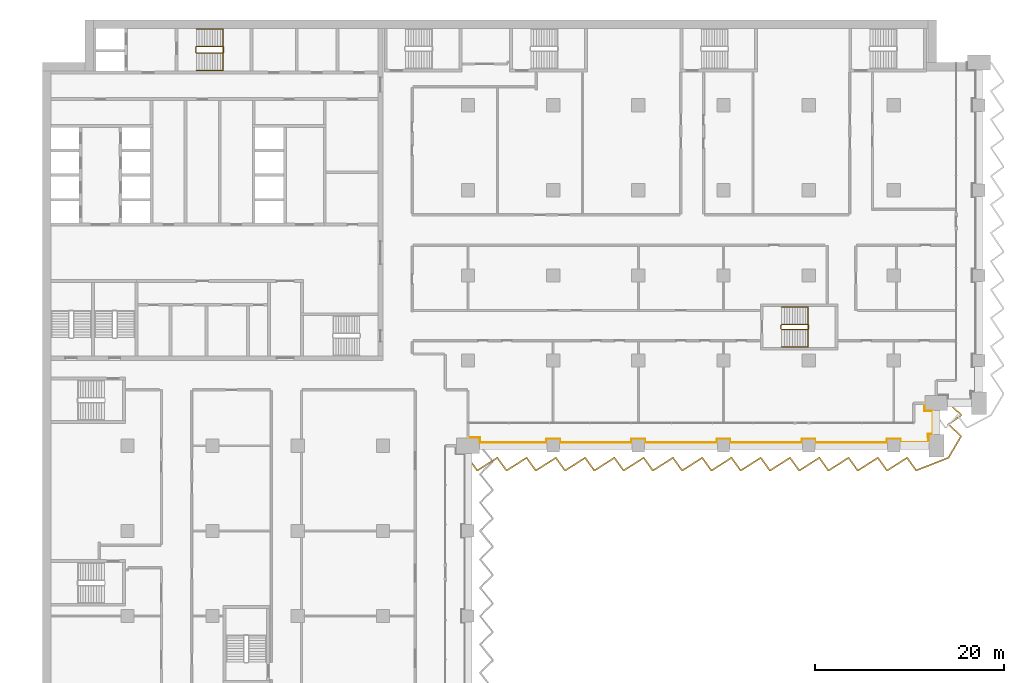
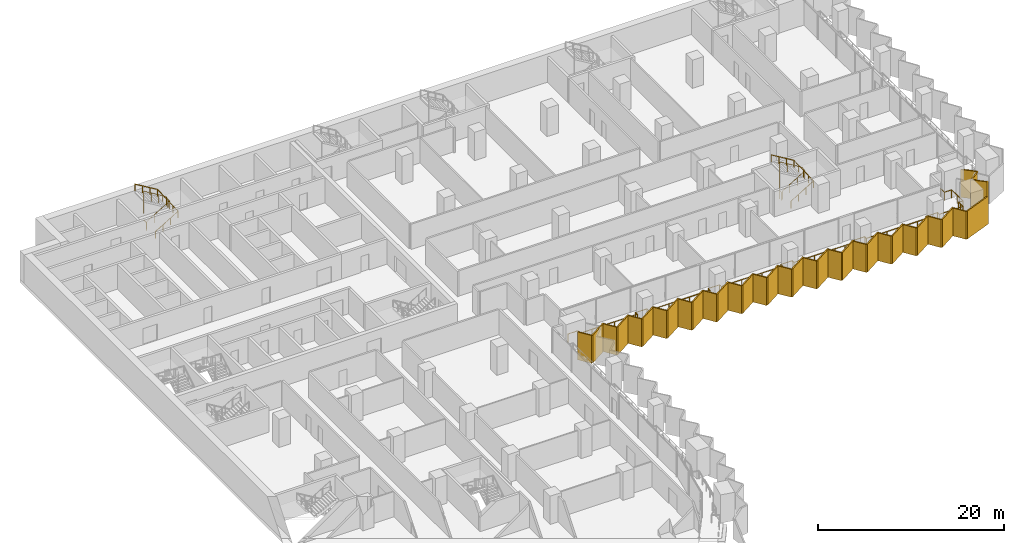
# One storey, part 26 of 28: 5 railings, 1 shading device.
"""IFC4 building model written with IfcOpenShell, lengths in metres."""

import ifcopenshell
import ifcopenshell.guid

model = None  # the IFC model being written
_history = None  # IfcOwnerHistory: only IFC2X3 demands one
_inside = {}  # id of a spatial element -> (the spatial element, [elements in it])
_under = {}  # id of a project, library or spatial element -> (it, [spatial elements below it])
_declared = {}  # id of a project -> (the project, [libraries it declares])
_typed = {}  # id of a type object -> (the type object, [elements of that type])
_made_of = {}  # id of a material, layer set ... -> (it, [elements and type objects made of it])


def new_model(schema):
    """Start an empty IFC model of exactly this schema.

    Asked for "IFC4X3", IfcOpenShell would pick the latest addendum, in which some entities
    have other attributes; the version numbers below select the first issue.
    IFC2X3 requires an IfcOwnerHistory on every rooted entity: one is made here for all.
    """
    global model, _history
    if schema == "IFC4X3":
        model = ifcopenshell.file(schema_version=(4, 3, 0, 0))
    else:
        model = ifcopenshell.file(schema=schema)
    _inside.clear()
    _under.clear()
    _declared.clear()
    _typed.clear()
    _made_of.clear()
    _history = None
    if model.schema == "IFC2X3":
        org = make("IfcOrganization", Name="unknown")
        user = make(
            "IfcPersonAndOrganization",
            ThePerson=make("IfcPerson", FamilyName="unknown"),
            TheOrganization=org,
        )
        app = make(
            "IfcApplication",
            ApplicationDeveloper=org,
            Version="unknown",
            ApplicationFullName="unknown",
            ApplicationIdentifier="unknown",
        )
        _history = make(
            "IfcOwnerHistory",
            OwningUser=user,
            OwningApplication=app,
            ChangeAction="ADDED",
            CreationDate=0,
        )
    return model


def make(cls, **values):
    """One entity of the class cls with the attributes given. An attribute that is None is left unset."""
    return model.create_entity(
        cls, **{name: value for name, value in values.items() if value is not None}
    )


def rooted(cls, **values):
    """An entity with a GlobalId (a new one), such as an element, a storey or a relation."""
    return make(cls, GlobalId=ifcopenshell.guid.new(), OwnerHistory=_history, **values)


def si_unit(unit_type, name, prefix=None):
    """IfcSIUnit, for example si_unit("LENGTHUNIT", "METRE", prefix="MILLI")."""
    return make("IfcSIUnit", UnitType=unit_type, Prefix=prefix, Name=name)


def assignment(units):
    """IfcUnitAssignment: the units of a project."""
    return None if units is None else make("IfcUnitAssignment", Units=units)


def point(xyz):
    """IfcCartesianPoint."""
    return None if xyz is None else make("IfcCartesianPoint", Coordinates=xyz)


def direction(xyz):
    """IfcDirection."""
    return None if xyz is None else make("IfcDirection", DirectionRatios=xyz)


def frame(location, z_axis=None, x_axis=None):
    """IfcAxis2Placement3D, a coordinate frame: its origin and axes. An axis left out is left unset."""
    return make(
        "IfcAxis2Placement3D",
        Location=point(location),
        Axis=direction(z_axis),
        RefDirection=direction(x_axis),
    )


def frame_2d(location, x_axis=None):
    """IfcAxis2Placement2D, a coordinate frame in the plane: its origin and x axis."""
    return make(
        "IfcAxis2Placement2D", Location=point(location), RefDirection=direction(x_axis)
    )


def origin():
    """The frame at (0, 0, 0) with its axes left unset."""
    return frame((0.0, 0.0, 0.0))


def origin_2d():
    """The frame at (0, 0) in the plane with its x axis left unset."""
    return frame_2d((0.0, 0.0))


def place(relative_to, where):
    """IfcLocalPlacement: puts the frame where relative to a parent placement (None: the world)."""
    return make(
        "IfcLocalPlacement", PlacementRelTo=relative_to, RelativePlacement=where
    )


def context(
    kind, dimensions, precision=None, world=None, true_north=None, identifier=None
):
    """IfcGeometricRepresentationContext, for example the 3D "Model" context."""
    return make(
        "IfcGeometricRepresentationContext",
        ContextIdentifier=identifier,
        ContextType=kind,
        CoordinateSpaceDimension=dimensions,
        Precision=precision,
        WorldCoordinateSystem=world,
        TrueNorth=true_north,
    )


def subcontext(parent, identifier, kind, view, scale=None):
    """IfcGeometricRepresentationSubContext, for example "Body" below "Model"."""
    return make(
        "IfcGeometricRepresentationSubContext",
        ContextIdentifier=identifier,
        ContextType=kind,
        ParentContext=parent,
        TargetScale=scale,
        TargetView=view,
    )


def project(units=None, contexts=None):
    """IfcProject with its units and contexts."""
    return rooted(
        "IfcProject",
        Name="project",
        RepresentationContexts=contexts,
        UnitsInContext=assignment(units),
    )


def spatial(cls, under=None, at=None, **own):
    """A site, building, storey or space (cls), placed at a placement, below another one or the project."""
    s = rooted(cls, ObjectPlacement=at, **own)
    if under is not None:
        _under.setdefault(under.id(), (under, []))[1].append(s)
    return s


def polyline(points):
    """IfcPolyline through the points."""
    return make("IfcPolyline", Points=[point(p) for p in points])


def profile(cls, at=None, kind="AREA", **sizes):
    """A parametric profile (cls). Its sizes go by their IFC names, for example OverallWidth=200.0."""
    return make(cls, ProfileType=kind, Position=at, **sizes)


def circle(**sizes):
    """IfcCircleProfileDef."""
    return profile("IfcCircleProfileDef", **sizes)


def outline(outer, holes=None, kind="AREA"):
    """IfcArbitraryClosedProfileDef: a profile drawn as a closed curve; with holes, ...WithVoids."""
    if holes is None:
        return make("IfcArbitraryClosedProfileDef", ProfileType=kind, OuterCurve=outer)
    return make(
        "IfcArbitraryProfileDefWithVoids",
        ProfileType=kind,
        OuterCurve=outer,
        InnerCurves=holes,
    )


def extrude(swept, where, along, depth):
    """IfcExtrudedAreaSolid: the profile swept, set in the frame where, extruded along a direction by depth."""
    return make(
        "IfcExtrudedAreaSolid",
        SweptArea=swept,
        Position=where,
        ExtrudedDirection=direction(along),
        Depth=depth,
    )


def shape(context_of_items, identifier, shape_type, items):
    """IfcShapeRepresentation: the items that make up one representation, for example the "Body"."""
    return make(
        "IfcShapeRepresentation",
        ContextOfItems=context_of_items,
        RepresentationIdentifier=identifier,
        RepresentationType=shape_type,
        Items=items,
    )


def material(Name=None, Category=None):
    """IfcMaterial."""
    return make("IfcMaterial", Name=Name, Category=Category)


def layer(
    of_material, thickness, ventilated=None, Name=None, Category=None, Priority=None
):
    """IfcMaterialLayer: one layer of a wall or slab, of a material (None: an air gap)."""
    return make(
        "IfcMaterialLayer",
        Material=of_material,
        LayerThickness=thickness,
        IsVentilated=ventilated,
        Name=Name,
        Category=Category,
        Priority=Priority,
    )


def layer_set(layers, Name=None):
    """IfcMaterialLayerSet."""
    return make("IfcMaterialLayerSet", MaterialLayers=layers, LayerSetName=Name)


def made_of(thing, what):
    """Note that an element or type object is made of a material, layer set ...; save() writes the relation."""
    if what is not None:
        _made_of.setdefault(what.id(), (what, []))[1].append(thing)
    return thing


def type_object(cls, material=None, **own):
    """A type object (cls), such as IfcWallType, which elements share."""
    return made_of(rooted(cls, **own), material)


def element(
    cls,
    number,
    at=None,
    inside=None,
    cuts=None,
    type_object=None,
    material=None,
    context=None,
    identifier="Body",
    shape_type=None,
    held_by="IfcProductDefinitionShape",
    body=None,
    shapes=None,
    **own,
):
    """One element of the class cls, such as IfcWall. Its Tag is "e" and its number.

    at: its placement. inside: the storey or other place that contains it. cuts: it is an
    opening in that element (IfcRelVoidsElement). A single representation is given by context,
    identifier, shape_type and body (its items); several are given by shapes. held_by: the class
    of the entity that holds the representations. save() writes the other relations.
    """
    e = rooted(cls, Tag="e%d" % number, ObjectPlacement=at, **own)
    if body is not None:
        shapes = [shape(context, identifier, shape_type, body)]
    if shapes is not None:
        e.Representation = make(held_by, Representations=shapes)
    if inside is not None:
        _inside.setdefault(inside.id(), (inside, []))[1].append(e)
    if cuts is not None:
        rooted(
            "IfcRelVoidsElement", RelatingBuildingElement=cuts, RelatedOpeningElement=e
        )
    if type_object is not None:
        _typed.setdefault(type_object.id(), (type_object, []))[1].append(e)
    return made_of(e, material)


def aggregate(whole, parts):
    """IfcRelAggregates: a whole, such as a stair, and the parts it consists of."""
    return rooted("IfcRelAggregates", RelatingObject=whole, RelatedObjects=parts)


def save(model, path):
    """Write the relations noted so far, then the file.

    IfcRelAggregates (storeys below a building ...), IfcRelContainedInSpatialStructure (elements
    in a storey), IfcRelDefinesByType, IfcRelAssociatesMaterial and IfcRelDeclares: one each for
    every whole, place, type object, material and project.
    """
    for whole, parts in _under.values():
        aggregate(whole, parts)
    for where, things in _inside.values():
        rooted(
            "IfcRelContainedInSpatialStructure",
            RelatedElements=things,
            RelatingStructure=where,
        )
    for kind, things in _typed.values():
        rooted("IfcRelDefinesByType", RelatedObjects=things, RelatingType=kind)
    for what, things in _made_of.values():
        rooted("IfcRelAssociatesMaterial", RelatedObjects=things, RelatingMaterial=what)
    for by, libraries in _declared.values():
        rooted("IfcRelDeclares", RelatingContext=by, RelatedDefinitions=libraries)
    model.write(path)


model = new_model("IFC4")

# Units and contexts
model_context = context("Model", 3, precision=1e-05, world=origin(), true_north=direction((0.0, 1.0)))
body_context = subcontext(model_context, "Body", "Model", "MODEL_VIEW")
ifc_project = project(units=[si_unit("LENGTHUNIT", "METRE"), si_unit("AREAUNIT", "SQUARE_METRE"), si_unit("VOLUMEUNIT", "CUBIC_METRE"), si_unit("PLANEANGLEUNIT", "RADIAN"), si_unit("MASSUNIT", "GRAM", prefix="KILO")], contexts=[model_context])

# Site, building, storey
site_placement = place(None, origin())
site = spatial("IfcSite", under=ifc_project, at=site_placement, CompositionType="ELEMENT")
building_placement = place(site_placement, origin())
building = spatial("IfcBuilding", under=site, at=building_placement, Name="Hunhe Ridgeline Campus", CompositionType="ELEMENT")
storey_placement = place(building_placement, frame((0.0, 0.0, 72.800048828125)))
storey = spatial("IfcBuildingStorey", under=building, at=storey_placement, Name="L17", CompositionType="ELEMENT", Elevation=72.800048828125)

# Railing
ifc_material_1 = material(Name="Steel Q355", Category="steel")
railing_type_1 = type_object("IfcRailingType", Name="Loggia guard 1100 Steel Q355", PredefinedType="GUARDRAIL", material=ifc_material_1)
railing_1_placement = place(storey_placement, frame((45.0, 54.8701171875, 0.0)))
element("IfcRailing", 1, at=railing_1_placement, inside=storey, type_object=railing_type_1, Name="Loggia guard 2", PredefinedType="GUARDRAIL", context=body_context, shape_type="SweptSolid", body=[
    extrude(circle(Radius=0.02392578125, at=origin_2d()), frame((0.0, 0.0, 1.076171875), z_axis=(1.0, 0.0, 0.0), x_axis=(0.0, 1.0, 0.0)), (0.0, 0.0, 1.0), 1.25),
    extrude(circle(Radius=0.02392578125, at=origin_2d()), frame((1.25, 0.0, 1.076171875), z_axis=(0.0, -1.0, 0.0), x_axis=(1.0, 0.0, 0.0)), (0.0, 0.0, 1.0), 0.52001953125),
    extrude(circle(Radius=0.02392578125, at=origin_2d()), frame((1.25, -0.52001953125, 1.076171875), z_axis=(1.0, 0.0, 0.0), x_axis=(0.0, 1.0, 0.0)), (0.0, 0.0, 1.0), 7.050048828125),
    extrude(circle(Radius=0.02392578125, at=origin_2d()), frame((8.300048828125, -0.52001953125, 1.076171875), z_axis=(0.0, 1.0, 0.0), x_axis=(-1.0, 0.0, 0.0)), (0.0, 0.0, 1.0), 0.369873046875),
    extrude(circle(Radius=0.02392578125, at=origin_2d()), frame((8.300048828125, -0.150146484375, 1.076171875), z_axis=(1.0, 0.0, 0.0), x_axis=(0.0, 1.0, 0.0)), (0.0, 0.0, 1.0), 1.39990234375),
    extrude(circle(Radius=0.02392578125, at=origin_2d()), frame((9.699951171875, -0.150146484375, 1.076171875), z_axis=(0.0, -1.0, 0.0), x_axis=(1.0, 0.0, 0.0)), (0.0, 0.0, 1.0), 0.369873046875),
    extrude(circle(Radius=0.02392578125, at=origin_2d()), frame((9.699951171875, -0.52001953125, 1.076171875), z_axis=(1.0, 0.0, 0.0), x_axis=(0.0, 1.0, 0.0)), (0.0, 0.0, 1.0), 7.60009765625),
    extrude(circle(Radius=0.02392578125, at=origin_2d()), frame((17.300048828125, -0.52001953125, 1.076171875), z_axis=(0.0, 1.0, 0.0), x_axis=(-1.0, 0.0, 0.0)), (0.0, 0.0, 1.0), 0.369873046875),
    extrude(circle(Radius=0.02392578125, at=origin_2d()), frame((17.300048828125, -0.150146484375, 1.076171875), z_axis=(1.0, 0.0, 0.0), x_axis=(0.0, 1.0, 0.0)), (0.0, 0.0, 1.0), 1.39990234375),
    extrude(circle(Radius=0.02392578125, at=origin_2d()), frame((18.699951171875, -0.150146484375, 1.076171875), z_axis=(0.0, -1.0, 0.0), x_axis=(1.0, 0.0, 0.0)), (0.0, 0.0, 1.0), 0.369873046875),
    extrude(circle(Radius=0.02392578125, at=origin_2d()), frame((18.699951171875, -0.52001953125, 1.076171875), z_axis=(1.0, 0.0, 0.0), x_axis=(0.0, 1.0, 0.0)), (0.0, 0.0, 1.0), 7.60009765625),
    extrude(circle(Radius=0.02392578125, at=origin_2d()), frame((26.300048828125, -0.52001953125, 1.076171875), z_axis=(0.0, 1.0, 0.0), x_axis=(-1.0, 0.0, 0.0)), (0.0, 0.0, 1.0), 0.369873046875),
    extrude(circle(Radius=0.02392578125, at=origin_2d()), frame((26.300048828125, -0.150146484375, 1.076171875), z_axis=(1.0, 0.0, 0.0), x_axis=(0.0, 1.0, 0.0)), (0.0, 0.0, 1.0), 1.39990234375),
    extrude(circle(Radius=0.02392578125, at=origin_2d()), frame((27.699951171875, -0.150146484375, 1.076171875), z_axis=(0.0, -1.0, 0.0), x_axis=(1.0, 0.0, 0.0)), (0.0, 0.0, 1.0), 0.369873046875),
    extrude(circle(Radius=0.02392578125, at=origin_2d()), frame((27.699951171875, -0.52001953125, 1.076171875), z_axis=(1.0, 0.0, 0.0), x_axis=(0.0, 1.0, 0.0)), (0.0, 0.0, 1.0), 7.60009765625),
    extrude(circle(Radius=0.02392578125, at=origin_2d()), frame((35.300048828125, -0.52001953125, 1.076171875), z_axis=(0.0, 1.0, 0.0), x_axis=(-1.0, 0.0, 0.0)), (0.0, 0.0, 1.0), 0.369873046875),
    extrude(circle(Radius=0.02392578125, at=origin_2d()), frame((35.300048828125, -0.150146484375, 1.076171875), z_axis=(1.0, 0.0, 0.0), x_axis=(0.0, 1.0, 0.0)), (0.0, 0.0, 1.0), 1.39990234375),
    extrude(circle(Radius=0.02392578125, at=origin_2d()), frame((36.699951171875, -0.150146484375, 1.076171875), z_axis=(0.0, -1.0, 0.0), x_axis=(1.0, 0.0, 0.0)), (0.0, 0.0, 1.0), 0.369873046875),
    extrude(circle(Radius=0.02392578125, at=origin_2d()), frame((36.699951171875, -0.52001953125, 1.076171875), z_axis=(1.0, 0.0, 0.0), x_axis=(0.0, 1.0, 0.0)), (0.0, 0.0, 1.0), 7.60009765625),
    extrude(circle(Radius=0.02392578125, at=origin_2d()), frame((44.300048828125, -0.52001953125, 1.076171875), z_axis=(0.0, 1.0, 0.0), x_axis=(-1.0, 0.0, 0.0)), (0.0, 0.0, 1.0), 0.369873046875),
    extrude(circle(Radius=0.02392578125, at=origin_2d()), frame((44.300048828125, -0.150146484375, 1.076171875), z_axis=(1.0, 0.0, 0.0), x_axis=(0.0, 1.0, 0.0)), (0.0, 0.0, 1.0), 1.39990234375),
    extrude(circle(Radius=0.02392578125, at=origin_2d()), frame((45.699951171875, -0.150146484375, 1.076171875), z_axis=(0.0, -1.0, 0.0), x_axis=(1.0, 0.0, 0.0)), (0.0, 0.0, 1.0), 0.369873046875),
    extrude(circle(Radius=0.02392578125, at=origin_2d()), frame((45.699951171875, -0.52001953125, 1.076171875), z_axis=(1.0, 0.0, 0.0), x_axis=(0.0, 1.0, 0.0)), (0.0, 0.0, 1.0), 2.949951171875),
    extrude(circle(Radius=0.02392578125, at=origin_2d()), frame((48.64990234375, -0.52001953125, 1.076171875), z_axis=(0.0, 1.0, 0.0), x_axis=(-1.0, 0.0, 0.0)), (0.0, 0.0, 1.0), 0.919921875),
    extrude(circle(Radius=0.02392578125, at=origin_2d()), frame((48.64990234375, 0.39990234375, 1.076171875), z_axis=(-0.049998438503, -0.998749295943, 0.0), x_axis=(0.998749295943, -0.049998438503, 0.0)), (0.0, 0.0, 1.0), 0.400390625),
    extrude(circle(Radius=0.02392578125, at=origin_2d()), frame((48.6298828125, 0.0, 1.076171875), z_axis=(0.0, 1.0, 0.0), x_axis=(-1.0, 0.0, 0.0)), (0.0, 0.0, 1.0), 0.3798828125),
    extrude(circle(Radius=0.02392578125, at=origin_2d()), frame((48.6298828125, 0.3798828125, 1.076171875), z_axis=(1.0, 0.0, 0.0), x_axis=(0.0, 1.0, 0.0)), (0.0, 0.0, 1.0), 0.52001953125),
    extrude(circle(Radius=0.02392578125, at=origin_2d()), frame((49.14990234375, 0.3798828125, 1.076171875), z_axis=(0.0, 1.0, 0.0), x_axis=(-1.0, 0.0, 0.0)), (0.0, 0.0, 1.0), 2.39990234375),
    extrude(circle(Radius=0.02392578125, at=origin_2d()), frame((49.14990234375, 2.77978515625, 1.076171875), z_axis=(-1.0, 0.0, 0.0), x_axis=(0.0, -1.0, 0.0)), (0.0, 0.0, 1.0), 0.919921875),
    extrude(circle(Radius=0.02392578125, at=origin_2d()), frame((48.22998046875, 2.77978515625, 1.076171875), z_axis=(0.0, 1.0, 0.0), x_axis=(-1.0, 0.0, 0.0)), (0.0, 0.0, 1.0), 0.85009765625),
    extrude(circle(Radius=0.02099609375, at=origin_2d()), origin(), (0.0, 0.0, 1.0), 1.052001953125),
    extrude(circle(Radius=0.02099609375, at=origin_2d()), frame((1.25, 0.0, 0.0)), (0.0, 0.0, 1.0), 1.052001953125),
    extrude(circle(Radius=0.02099609375, at=origin_2d()), frame((1.25, -0.52001953125, 0.0)), (0.0, 0.0, 1.0), 1.052001953125),
    extrude(circle(Radius=0.02099609375, at=origin_2d()), frame((2.659912109375, -0.52001953125, 0.0)), (0.0, 0.0, 1.0), 1.052001953125),
    extrude(circle(Radius=0.02099609375, at=origin_2d()), frame((4.070068359375, -0.52001953125, 0.0)), (0.0, 0.0, 1.0), 1.052001953125),
    extrude(circle(Radius=0.02099609375, at=origin_2d()), frame((5.47998046875, -0.52001953125, 0.0)), (0.0, 0.0, 1.0), 1.052001953125),
    extrude(circle(Radius=0.02099609375, at=origin_2d()), frame((6.89013671875, -0.52001953125, 0.0)), (0.0, 0.0, 1.0), 1.052001953125),
    extrude(circle(Radius=0.02099609375, at=origin_2d()), frame((8.300048828125, -0.52001953125, 0.0)), (0.0, 0.0, 1.0), 1.052001953125),
    extrude(circle(Radius=0.02099609375, at=origin_2d()), frame((8.300048828125, -0.150146484375, 0.0)), (0.0, 0.0, 1.0), 1.052001953125),
    extrude(circle(Radius=0.02099609375, at=origin_2d()), frame((9.699951171875, -0.150146484375, 0.0)), (0.0, 0.0, 1.0), 1.052001953125),
    extrude(circle(Radius=0.02099609375, at=origin_2d()), frame((9.699951171875, -0.52001953125, 0.0)), (0.0, 0.0, 1.0), 1.052001953125),
    extrude(circle(Radius=0.02099609375, at=origin_2d()), frame((10.966552734375, -0.52001953125, 0.0)), (0.0, 0.0, 1.0), 1.052001953125),
    extrude(circle(Radius=0.02099609375, at=origin_2d()), frame((12.2333984375, -0.52001953125, 0.0)), (0.0, 0.0, 1.0), 1.052001953125),
    extrude(circle(Radius=0.02099609375, at=origin_2d()), frame((13.5, -0.52001953125, 0.0)), (0.0, 0.0, 1.0), 1.052001953125),
    extrude(circle(Radius=0.02099609375, at=origin_2d()), frame((14.7666015625, -0.52001953125, 0.0)), (0.0, 0.0, 1.0), 1.052001953125),
    extrude(circle(Radius=0.02099609375, at=origin_2d()), frame((16.033447265625, -0.52001953125, 0.0)), (0.0, 0.0, 1.0), 1.052001953125),
    extrude(circle(Radius=0.02099609375, at=origin_2d()), frame((17.300048828125, -0.52001953125, 0.0)), (0.0, 0.0, 1.0), 1.052001953125),
    extrude(circle(Radius=0.02099609375, at=origin_2d()), frame((17.300048828125, -0.150146484375, 0.0)), (0.0, 0.0, 1.0), 1.052001953125),
    extrude(circle(Radius=0.02099609375, at=origin_2d()), frame((18.699951171875, -0.150146484375, 0.0)), (0.0, 0.0, 1.0), 1.052001953125),
    extrude(circle(Radius=0.02099609375, at=origin_2d()), frame((18.699951171875, -0.52001953125, 0.0)), (0.0, 0.0, 1.0), 1.052001953125),
    extrude(circle(Radius=0.02099609375, at=origin_2d()), frame((19.966552734375, -0.52001953125, 0.0)), (0.0, 0.0, 1.0), 1.052001953125),
    extrude(circle(Radius=0.02099609375, at=origin_2d()), frame((21.2333984375, -0.52001953125, 0.0)), (0.0, 0.0, 1.0), 1.052001953125),
    extrude(circle(Radius=0.02099609375, at=origin_2d()), frame((22.5, -0.52001953125, 0.0)), (0.0, 0.0, 1.0), 1.052001953125),
    extrude(circle(Radius=0.02099609375, at=origin_2d()), frame((23.7666015625, -0.52001953125, 0.0)), (0.0, 0.0, 1.0), 1.052001953125),
    extrude(circle(Radius=0.02099609375, at=origin_2d()), frame((25.033447265625, -0.52001953125, 0.0)), (0.0, 0.0, 1.0), 1.052001953125),
    extrude(circle(Radius=0.02099609375, at=origin_2d()), frame((26.300048828125, -0.52001953125, 0.0)), (0.0, 0.0, 1.0), 1.052001953125),
    extrude(circle(Radius=0.02099609375, at=origin_2d()), frame((26.300048828125, -0.150146484375, 0.0)), (0.0, 0.0, 1.0), 1.052001953125),
    extrude(circle(Radius=0.02099609375, at=origin_2d()), frame((27.699951171875, -0.150146484375, 0.0)), (0.0, 0.0, 1.0), 1.052001953125),
    extrude(circle(Radius=0.02099609375, at=origin_2d()), frame((27.699951171875, -0.52001953125, 0.0)), (0.0, 0.0, 1.0), 1.052001953125),
    extrude(circle(Radius=0.02099609375, at=origin_2d()), frame((28.966552734375, -0.52001953125, 0.0)), (0.0, 0.0, 1.0), 1.052001953125),
    extrude(circle(Radius=0.02099609375, at=origin_2d()), frame((30.2333984375, -0.52001953125, 0.0)), (0.0, 0.0, 1.0), 1.052001953125),
    extrude(circle(Radius=0.02099609375, at=origin_2d()), frame((31.5, -0.52001953125, 0.0)), (0.0, 0.0, 1.0), 1.052001953125),
    extrude(circle(Radius=0.02099609375, at=origin_2d()), frame((32.7666015625, -0.52001953125, 0.0)), (0.0, 0.0, 1.0), 1.052001953125),
    extrude(circle(Radius=0.02099609375, at=origin_2d()), frame((34.033447265625, -0.52001953125, 0.0)), (0.0, 0.0, 1.0), 1.052001953125),
    extrude(circle(Radius=0.02099609375, at=origin_2d()), frame((35.300048828125, -0.52001953125, 0.0)), (0.0, 0.0, 1.0), 1.052001953125),
    extrude(circle(Radius=0.02099609375, at=origin_2d()), frame((35.300048828125, -0.150146484375, 0.0)), (0.0, 0.0, 1.0), 1.052001953125),
    extrude(circle(Radius=0.02099609375, at=origin_2d()), frame((36.699951171875, -0.150146484375, 0.0)), (0.0, 0.0, 1.0), 1.052001953125),
    extrude(circle(Radius=0.02099609375, at=origin_2d()), frame((36.699951171875, -0.52001953125, 0.0)), (0.0, 0.0, 1.0), 1.052001953125),
    extrude(circle(Radius=0.02099609375, at=origin_2d()), frame((37.966552734375, -0.52001953125, 0.0)), (0.0, 0.0, 1.0), 1.052001953125),
    extrude(circle(Radius=0.02099609375, at=origin_2d()), frame((39.2333984375, -0.52001953125, 0.0)), (0.0, 0.0, 1.0), 1.052001953125),
    extrude(circle(Radius=0.02099609375, at=origin_2d()), frame((40.5, -0.52001953125, 0.0)), (0.0, 0.0, 1.0), 1.052001953125),
    extrude(circle(Radius=0.02099609375, at=origin_2d()), frame((41.7666015625, -0.52001953125, 0.0)), (0.0, 0.0, 1.0), 1.052001953125),
    extrude(circle(Radius=0.02099609375, at=origin_2d()), frame((43.033447265625, -0.52001953125, 0.0)), (0.0, 0.0, 1.0), 1.052001953125),
    extrude(circle(Radius=0.02099609375, at=origin_2d()), frame((44.300048828125, -0.52001953125, 0.0)), (0.0, 0.0, 1.0), 1.052001953125),
    extrude(circle(Radius=0.02099609375, at=origin_2d()), frame((44.300048828125, -0.150146484375, 0.0)), (0.0, 0.0, 1.0), 1.052001953125),
    extrude(circle(Radius=0.02099609375, at=origin_2d()), frame((45.699951171875, -0.150146484375, 0.0)), (0.0, 0.0, 1.0), 1.052001953125),
    extrude(circle(Radius=0.02099609375, at=origin_2d()), frame((45.699951171875, -0.52001953125, 0.0)), (0.0, 0.0, 1.0), 1.052001953125),
    extrude(circle(Radius=0.02099609375, at=origin_2d()), frame((47.1748046875, -0.52001953125, 0.0)), (0.0, 0.0, 1.0), 1.052001953125),
    extrude(circle(Radius=0.02099609375, at=origin_2d()), frame((48.64990234375, -0.52001953125, 0.0)), (0.0, 0.0, 1.0), 1.052001953125),
    extrude(circle(Radius=0.02099609375, at=origin_2d()), frame((48.64990234375, 0.39990234375, 0.0)), (0.0, 0.0, 1.0), 1.052001953125),
    extrude(circle(Radius=0.02099609375, at=origin_2d()), frame((48.6298828125, 0.0, 0.0)), (0.0, 0.0, 1.0), 1.052001953125),
    extrude(circle(Radius=0.02099609375, at=origin_2d()), frame((48.6298828125, 0.3798828125, 0.0)), (0.0, 0.0, 1.0), 1.052001953125),
    extrude(circle(Radius=0.02099609375, at=origin_2d()), frame((49.14990234375, 0.3798828125, 0.0)), (0.0, 0.0, 1.0), 1.052001953125),
    extrude(circle(Radius=0.02099609375, at=origin_2d()), frame((49.14990234375, 1.579833984375, 0.0)), (0.0, 0.0, 1.0), 1.052001953125),
    extrude(circle(Radius=0.02099609375, at=origin_2d()), frame((49.14990234375, 2.77978515625, 0.0)), (0.0, 0.0, 1.0), 1.052001953125),
    extrude(circle(Radius=0.02099609375, at=origin_2d()), frame((48.22998046875, 2.77978515625, 0.0)), (0.0, 0.0, 1.0), 1.052001953125),
    extrude(circle(Radius=0.02099609375, at=origin_2d()), frame((48.22998046875, 3.6298828125, 0.0)), (0.0, 0.0, 1.0), 1.052001953125),
])

# Shading device
ifc_material_2 = material(Name="Concrete C50", Category="concrete")
ifc_layer = layer(ifc_material_2, 0.14990234375)
ifc_layer_set = layer_set([ifc_layer], Name="Sawtooth concrete fin 150 Concrete C50")
shading_device_type = type_object("IfcShadingDeviceType", Name="Sawtooth concrete fin 150 Concrete C50", PredefinedType="USERDEFINED", material=ifc_layer_set)
shading_device_placement = place(storey_placement, frame((0.0, 0.0, -0.949951171875)))
element("IfcShadingDevice", 2, at=shading_device_placement, inside=storey, type_object=shading_device_type, Name="Concrete fin screen 2", ObjectType="FIN", PredefinedType="USERDEFINED", context=body_context, shape_type="SweptSolid", body=[
    extrude(outline(polyline([(45.060791015625, 52.768798828125), (44.939208984375, 52.68115234375), (45.896484375, 51.35009765625), (46.076904296875, 51.35009765625), (48.07421875, 52.62353515625), (48.990234375, 51.35009765625), (49.170654296875, 51.35009765625), (51.16796875, 52.62353515625), (52.083984375, 51.35009765625), (52.264404296875, 51.35009765625), (54.26171875, 52.62353515625), (55.177734375, 51.35009765625), (55.358154296875, 51.35009765625), (57.35546875, 52.62353515625), (58.271484375, 51.35009765625), (58.451904296875, 51.35009765625), (60.44921875, 52.62353515625), (61.365234375, 51.35009765625), (61.545654296875, 51.35009765625), (63.54296875, 52.62353515625), (64.458984375, 51.35009765625), (64.639404296875, 51.35009765625), (66.63671875, 52.62353515625), (67.552734375, 51.35009765625), (67.733154296875, 51.35009765625), (69.73046875, 52.62353515625), (70.646484375, 51.35009765625), (70.826904296875, 51.35009765625), (72.82421875, 52.62353515625), (73.740234375, 51.35009765625), (73.920654296875, 51.35009765625), (75.91796875, 52.62353515625), (76.833984375, 51.35009765625), (77.014404296875, 51.35009765625), (79.01171875, 52.62353515625), (79.927734375, 51.35009765625), (80.108154296875, 51.35009765625), (82.10546875, 52.62353515625), (83.021484375, 51.35009765625), (83.201904296875, 51.35009765625), (85.19921875, 52.62353515625), (86.115234375, 51.35009765625), (86.295654296875, 51.35009765625), (88.29296875, 52.62353515625), (89.208984375, 51.35009765625), (89.389404296875, 51.35009765625), (91.38671875, 52.62353515625), (92.302734375, 51.35009765625), (92.475341796875, 51.35009765625), (95.826416015625, 52.66455078125), (97.14990234375, 54.91455078125), (97.14990234375, 55.087890625), (95.8935546875, 56.242919921875), (97.14990234375, 57.146484375), (97.14990234375, 57.337890625), (95.82568359375, 58.55517578125), (95.724365234375, 58.44482421875), (97.0, 57.27197265625), (97.0, 57.223388671875), (95.656494140625, 56.257080078125), (97.0, 55.02197265625), (97.0, 54.955322265625), (95.723388671875, 52.785400390625), (92.447021484375, 51.5), (92.379638671875, 51.5), (91.42578125, 52.826416015625), (89.345703125, 51.5), (89.285888671875, 51.5), (88.33203125, 52.826416015625), (86.251953125, 51.5), (86.192138671875, 51.5), (85.23828125, 52.826416015625), (83.158203125, 51.5), (83.098388671875, 51.5), (82.14453125, 52.826416015625), (80.064453125, 51.5), (80.004638671875, 51.5), (79.05078125, 52.826416015625), (76.970703125, 51.5), (76.910888671875, 51.5), (75.95703125, 52.826416015625), (73.876953125, 51.5), (73.817138671875, 51.5), (72.86328125, 52.826416015625), (70.783203125, 51.5), (70.723388671875, 51.5), (69.76953125, 52.826416015625), (67.689453125, 51.5), (67.629638671875, 51.5), (66.67578125, 52.826416015625), (64.595703125, 51.5), (64.535888671875, 51.5), (63.58203125, 52.826416015625), (61.501953125, 51.5), (61.442138671875, 51.5), (60.48828125, 52.826416015625), (58.408203125, 51.5), (58.348388671875, 51.5), (57.39453125, 52.826416015625), (55.314453125, 51.5), (55.254638671875, 51.5), (54.30078125, 52.826416015625), (52.220703125, 51.5), (52.160888671875, 51.5), (51.20703125, 52.826416015625), (49.126953125, 51.5), (49.067138671875, 51.5), (48.11328125, 52.826416015625), (46.033203125, 51.5), (45.973388671875, 51.5), (45.060791015625, 52.768798828125)])), origin(), (0.0, 0.0, 1.0), 3.64990234375),
])

# Railings
ifc_material_3 = material(Name="Stainless steel balustrade", Category="steel")
railing_type_2 = type_object("IfcRailingType", Name="Stair guard 1100 stainless", PredefinedType="GUARDRAIL", material=ifc_material_3)
railing_2_placement = place(storey_placement, frame((16.300048828125, 95.5, 0.168212890625)))
element("IfcRailing", 3, at=railing_2_placement, inside=storey, type_object=railing_type_2, Name="L17 stair S1 guard", PredefinedType="GUARDRAIL", context=body_context, shape_type="SweptSolid", body=[
    extrude(circle(Radius=0.02392578125, at=origin_2d()), frame((0.0, 0.0, 1.076171875), z_axis=(0.857275202839, 0.0, 0.514858452973), x_axis=(0.0, 1.0, 0.0)), (0.0, 0.0, 1.0), 3.26611328125),
    extrude(circle(Radius=0.02392578125, at=origin_2d()), frame((2.800048828125, 0.0, 2.7578125), z_axis=(0.705375805398, 0.708833529934, 0.0), x_axis=(-0.708833529934, 0.705375805398, 0.0)), (0.0, 0.0, 1.0), 0.070556640625),
    extrude(circle(Radius=0.02392578125, at=origin_2d()), frame((2.849853515625, 0.050048828125, 2.7578125), z_axis=(0.0, 1.0, 0.0), x_axis=(-1.0, 0.0, 0.0)), (0.0, 0.0, 1.0), 0.599853515625),
    extrude(circle(Radius=0.02392578125, at=origin_2d()), frame((2.849853515625, 0.64990234375, 2.7578125), z_axis=(-0.273006030465, 0.27434429532, 0.922064485248), x_axis=(-0.708833529934, -0.705375805398, 0.0)), (0.0, 0.0, 1.0), 0.182373046875),
    extrude(circle(Radius=0.02392578125, at=origin_2d()), frame((2.800048828125, 0.699951171875, 2.92578125), z_axis=(-0.857242210791, 0.0, 0.514913383045), x_axis=(0.0, -1.0, 0.0)), (0.0, 0.0, 1.0), 3.266357421875),
    extrude(circle(Radius=0.02392578125, at=origin_2d()), frame((0.0, 0.699951171875, 4.60791015625), z_axis=(-0.013524414389, -0.013524414389, -0.999817073484), x_axis=(0.707106781187, -0.707106781187, 0.0)), (0.0, 0.0, 1.0), 3.70068359375),
    extrude(circle(Radius=0.02392578125, at=origin_2d()), frame((-0.050048828125, 0.64990234375, 0.90771484375), z_axis=(0.0, -1.0, 0.0), x_axis=(1.0, 0.0, 0.0)), (0.0, 0.0, 1.0), 0.599853515625),
    extrude(circle(Radius=0.02099609375, at=origin_2d()), origin(), (0.0, 0.0, 1.0), 1.052001953125),
    extrude(circle(Radius=0.02099609375, at=origin_2d()), frame((0.933349609375, 0.0, 0.560546875)), (0.0, 0.0, 1.0), 1.052001953125),
    extrude(circle(Radius=0.02099609375, at=origin_2d()), frame((1.86669921875, 0.0, 1.12109375)), (0.0, 0.0, 1.0), 1.052001953125),
    extrude(circle(Radius=0.02099609375, at=origin_2d()), frame((2.800048828125, 0.0, 1.681640625)), (0.0, 0.0, 1.0), 1.052001953125),
    extrude(circle(Radius=0.02099609375, at=origin_2d()), frame((2.849853515625, 0.050048828125, 1.681640625)), (0.0, 0.0, 1.0), 1.052001953125),
    extrude(circle(Radius=0.02099609375, at=origin_2d()), frame((2.849853515625, 0.64990234375, 1.681640625)), (0.0, 0.0, 1.0), 1.052001953125),
    extrude(circle(Radius=0.02099609375, at=origin_2d()), frame((2.800048828125, 0.699951171875, 1.849853515625)), (0.0, 0.0, 1.0), 1.052001953125),
    extrude(circle(Radius=0.02099609375, at=origin_2d()), frame((1.86669921875, 0.699951171875, 2.410400390625)), (0.0, 0.0, 1.0), 1.052001953125),
    extrude(circle(Radius=0.02099609375, at=origin_2d()), frame((0.933349609375, 0.699951171875, 2.97119140625)), (0.0, 0.0, 1.0), 1.052001953125),
    extrude(circle(Radius=0.02099609375, at=origin_2d()), frame((0.0, 0.699951171875, 3.53173828125)), (0.0, 0.0, 1.0), 1.052001953125),
    extrude(circle(Radius=0.02099609375, at=origin_2d()), frame((-0.012451171875, 0.6875, 2.606689453125)), (0.0, 0.0, 1.0), 1.052001953125),
    extrude(circle(Radius=0.02099609375, at=origin_2d()), frame((-0.02490234375, 0.6748046875, 1.681640625)), (0.0, 0.0, 1.0), 1.052001953125),
    extrude(circle(Radius=0.02099609375, at=origin_2d()), frame((-0.03759765625, 0.662353515625, 0.7568359375)), (0.0, 0.0, 1.0), 1.052001953125),
    extrude(circle(Radius=0.02099609375, at=origin_2d()), frame((-0.050048828125, 0.64990234375, -0.168212890625)), (0.0, 0.0, 1.0), 1.052001953125),
    extrude(circle(Radius=0.02099609375, at=origin_2d()), frame((-0.050048828125, 0.050048828125, -0.168212890625)), (0.0, 0.0, 1.0), 1.052001953125),
])
railing_3_placement = place(storey_placement, frame((78.14990234375, 66.300048828125, 0.168212890625)))
element("IfcRailing", 4, at=railing_3_placement, inside=storey, type_object=railing_type_2, Name="L17 stair E5 guard", PredefinedType="GUARDRAIL", context=body_context, shape_type="SweptSolid", body=[
    extrude(circle(Radius=0.02392578125, at=origin_2d()), frame((0.0, 0.0, 1.076171875), z_axis=(0.857275202839, 0.0, 0.514858452973), x_axis=(0.0, 1.0, 0.0)), (0.0, 0.0, 1.0), 3.26611328125),
    extrude(circle(Radius=0.02392578125, at=origin_2d()), frame((2.800048828125, 0.0, 2.7578125), z_axis=(0.707106781187, 0.707106781187, 0.0), x_axis=(-0.707106781187, 0.707106781187, 0.0)), (0.0, 0.0, 1.0), 0.07080078125),
    extrude(circle(Radius=0.02392578125, at=origin_2d()), frame((2.85009765625, 0.050048828125, 2.7578125), z_axis=(0.0, 1.0, 0.0), x_axis=(-1.0, 0.0, 0.0)), (0.0, 0.0, 1.0), 0.39990234375),
    extrude(circle(Radius=0.02392578125, at=origin_2d()), frame((2.85009765625, 0.449951171875, 2.7578125), z_axis=(-0.274243871929, 0.274243871929, 0.92172696468), x_axis=(-0.707106781187, -0.707106781187, 0.0)), (0.0, 0.0, 1.0), 0.1826171875),
    extrude(circle(Radius=0.02392578125, at=origin_2d()), frame((2.800048828125, 0.5, 2.92578125), z_axis=(-0.857242210791, 0.0, 0.514913383045), x_axis=(0.0, -1.0, 0.0)), (0.0, 0.0, 1.0), 3.266357421875),
    extrude(circle(Radius=0.02392578125, at=origin_2d()), frame((0.0, 0.5, 4.60791015625), z_axis=(-0.013458453615, -0.013524426427, -0.999817963389), x_axis=(0.708833529934, -0.705375805398, 0.0)), (0.0, 0.0, 1.0), 3.70068359375),
    extrude(circle(Radius=0.02392578125, at=origin_2d()), frame((-0.0498046875, 0.449951171875, 0.90771484375), z_axis=(0.0, -1.0, 0.0), x_axis=(1.0, 0.0, 0.0)), (0.0, 0.0, 1.0), 0.39990234375),
    extrude(circle(Radius=0.02099609375, at=origin_2d()), origin(), (0.0, 0.0, 1.0), 1.052001953125),
    extrude(circle(Radius=0.02099609375, at=origin_2d()), frame((0.933349609375, 0.0, 0.560546875)), (0.0, 0.0, 1.0), 1.052001953125),
    extrude(circle(Radius=0.02099609375, at=origin_2d()), frame((1.86669921875, 0.0, 1.12109375)), (0.0, 0.0, 1.0), 1.052001953125),
    extrude(circle(Radius=0.02099609375, at=origin_2d()), frame((2.800048828125, 0.0, 1.681640625)), (0.0, 0.0, 1.0), 1.052001953125),
    extrude(circle(Radius=0.02099609375, at=origin_2d()), frame((2.85009765625, 0.050048828125, 1.681640625)), (0.0, 0.0, 1.0), 1.052001953125),
    extrude(circle(Radius=0.02099609375, at=origin_2d()), frame((2.85009765625, 0.449951171875, 1.681640625)), (0.0, 0.0, 1.0), 1.052001953125),
    extrude(circle(Radius=0.02099609375, at=origin_2d()), frame((2.800048828125, 0.5, 1.849853515625)), (0.0, 0.0, 1.0), 1.052001953125),
    extrude(circle(Radius=0.02099609375, at=origin_2d()), frame((1.86669921875, 0.5, 2.410400390625)), (0.0, 0.0, 1.0), 1.052001953125),
    extrude(circle(Radius=0.02099609375, at=origin_2d()), frame((0.933349609375, 0.5, 2.97119140625)), (0.0, 0.0, 1.0), 1.052001953125),
    extrude(circle(Radius=0.02099609375, at=origin_2d()), frame((0.0, 0.5, 3.53173828125)), (0.0, 0.0, 1.0), 1.052001953125),
    extrude(circle(Radius=0.02099609375, at=origin_2d()), frame((-0.012451171875, 0.487548828125, 2.606689453125)), (0.0, 0.0, 1.0), 1.052001953125),
    extrude(circle(Radius=0.02099609375, at=origin_2d()), frame((-0.02490234375, 0.47509765625, 1.681640625)), (0.0, 0.0, 1.0), 1.052001953125),
    extrude(circle(Radius=0.02099609375, at=origin_2d()), frame((-0.037353515625, 0.46240234375, 0.7568359375)), (0.0, 0.0, 1.0), 1.052001953125),
    extrude(circle(Radius=0.02099609375, at=origin_2d()), frame((-0.0498046875, 0.449951171875, -0.168212890625)), (0.0, 0.0, 1.0), 1.052001953125),
    extrude(circle(Radius=0.02099609375, at=origin_2d()), frame((-0.0498046875, 0.050048828125, -0.168212890625)), (0.0, 0.0, 1.0), 1.052001953125),
])
ifc_material_4 = material(Name="Stainless steel handrail", Category="steel")
railing_type_3 = type_object("IfcRailingType", Name="Stair handrail 900 stainless", PredefinedType="HANDRAIL", material=ifc_material_4)
railing_4_placement = place(storey_placement, frame((16.300048828125, 93.64990234375, 0.168212890625)))
element("IfcRailing", 5, at=railing_4_placement, inside=storey, type_object=railing_type_3, Name="L17 stair S1 handrail", PredefinedType="HANDRAIL", context=body_context, shape_type="SweptSolid", body=[
    extrude(circle(Radius=0.02392578125, at=origin_2d()), frame((0.0, 0.0, 0.8759765625), z_axis=(0.857275202839, 0.0, 0.514858452973), x_axis=(0.0, 1.0, 0.0)), (0.0, 0.0, 1.0), 3.26611328125),
    extrude(circle(Radius=0.02392578125, at=origin_2d()), frame((2.800048828125, 0.0, 2.5576171875), z_axis=(0.0, 0.999270074432, 0.038201025428), x_axis=(-1.0, 0.0, 0.0)), (0.0, 0.0, 1.0), 4.4033203125),
    extrude(circle(Radius=0.02392578125, at=origin_2d()), frame((2.800048828125, 4.400146484375, 2.7255859375), z_axis=(-0.857242210791, 0.0, 0.514913383045), x_axis=(0.0, -1.0, 0.0)), (0.0, 0.0, 1.0), 3.266357421875),
    extrude(circle(Radius=0.02099609375, at=origin_2d()), origin(), (0.0, 0.0, 1.0), 0.851806640625),
    extrude(circle(Radius=0.02099609375, at=origin_2d()), frame((0.933349609375, 0.0, 0.560546875)), (0.0, 0.0, 1.0), 0.851806640625),
    extrude(circle(Radius=0.02099609375, at=origin_2d()), frame((1.86669921875, 0.0, 1.12109375)), (0.0, 0.0, 1.0), 0.851806640625),
    extrude(circle(Radius=0.02099609375, at=origin_2d()), frame((2.800048828125, 0.0, 1.681640625)), (0.0, 0.0, 1.0), 0.851806640625),
    extrude(circle(Radius=0.02099609375, at=origin_2d()), frame((2.800048828125, 1.10009765625, 1.7236328125)), (0.0, 0.0, 1.0), 0.851806640625),
    extrude(circle(Radius=0.02099609375, at=origin_2d()), frame((2.800048828125, 2.2001953125, 1.765625)), (0.0, 0.0, 1.0), 0.851806640625),
    extrude(circle(Radius=0.02099609375, at=origin_2d()), frame((2.800048828125, 3.300048828125, 1.807861328125)), (0.0, 0.0, 1.0), 0.851806640625),
    extrude(circle(Radius=0.02099609375, at=origin_2d()), frame((2.800048828125, 4.400146484375, 1.849853515625)), (0.0, 0.0, 1.0), 0.851806640625),
    extrude(circle(Radius=0.02099609375, at=origin_2d()), frame((1.86669921875, 4.400146484375, 2.410400390625)), (0.0, 0.0, 1.0), 0.851806640625),
    extrude(circle(Radius=0.02099609375, at=origin_2d()), frame((0.933349609375, 4.400146484375, 2.97119140625)), (0.0, 0.0, 1.0), 0.851806640625),
    extrude(circle(Radius=0.02099609375, at=origin_2d()), frame((0.0, 4.400146484375, 3.53173828125)), (0.0, 0.0, 1.0), 0.851806640625),
])
railing_5_placement = place(storey_placement, frame((78.14990234375, 64.449951171875, 0.168212890625)))
element("IfcRailing", 6, at=railing_5_placement, inside=storey, type_object=railing_type_3, Name="L17 stair E5 handrail", PredefinedType="HANDRAIL", context=body_context, shape_type="SweptSolid", body=[
    extrude(circle(Radius=0.02392578125, at=origin_2d()), frame((0.0, 0.0, 0.8759765625), z_axis=(0.857275202839, 0.0, 0.514858452973), x_axis=(0.0, 1.0, 0.0)), (0.0, 0.0, 1.0), 3.26611328125),
    extrude(circle(Radius=0.02392578125, at=origin_2d()), frame((2.800048828125, 0.0, 2.5576171875), z_axis=(0.0, 0.999198916169, 0.040019069537), x_axis=(-1.0, 0.0, 0.0)), (0.0, 0.0, 1.0), 4.203369140625),
    extrude(circle(Radius=0.02392578125, at=origin_2d()), frame((2.800048828125, 4.199951171875, 2.7255859375), z_axis=(-0.857242210791, 0.0, 0.514913383045), x_axis=(0.0, -1.0, 0.0)), (0.0, 0.0, 1.0), 3.266357421875),
    extrude(circle(Radius=0.02099609375, at=origin_2d()), origin(), (0.0, 0.0, 1.0), 0.851806640625),
    extrude(circle(Radius=0.02099609375, at=origin_2d()), frame((0.933349609375, 0.0, 0.560546875)), (0.0, 0.0, 1.0), 0.851806640625),
    extrude(circle(Radius=0.02099609375, at=origin_2d()), frame((1.86669921875, 0.0, 1.12109375)), (0.0, 0.0, 1.0), 0.851806640625),
    extrude(circle(Radius=0.02099609375, at=origin_2d()), frame((2.800048828125, 0.0, 1.681640625)), (0.0, 0.0, 1.0), 0.851806640625),
    extrude(circle(Radius=0.02099609375, at=origin_2d()), frame((2.800048828125, 1.050048828125, 1.7236328125)), (0.0, 0.0, 1.0), 0.851806640625),
    extrude(circle(Radius=0.02099609375, at=origin_2d()), frame((2.800048828125, 2.10009765625, 1.765625)), (0.0, 0.0, 1.0), 0.851806640625),
    extrude(circle(Radius=0.02099609375, at=origin_2d()), frame((2.800048828125, 3.14990234375, 1.807861328125)), (0.0, 0.0, 1.0), 0.851806640625),
    extrude(circle(Radius=0.02099609375, at=origin_2d()), frame((2.800048828125, 4.199951171875, 1.849853515625)), (0.0, 0.0, 1.0), 0.851806640625),
    extrude(circle(Radius=0.02099609375, at=origin_2d()), frame((1.86669921875, 4.199951171875, 2.410400390625)), (0.0, 0.0, 1.0), 0.851806640625),
    extrude(circle(Radius=0.02099609375, at=origin_2d()), frame((0.933349609375, 4.199951171875, 2.97119140625)), (0.0, 0.0, 1.0), 0.851806640625),
    extrude(circle(Radius=0.02099609375, at=origin_2d()), frame((0.0, 4.199951171875, 3.53173828125)), (0.0, 0.0, 1.0), 0.851806640625),
])

save(model, "model.ifc")
